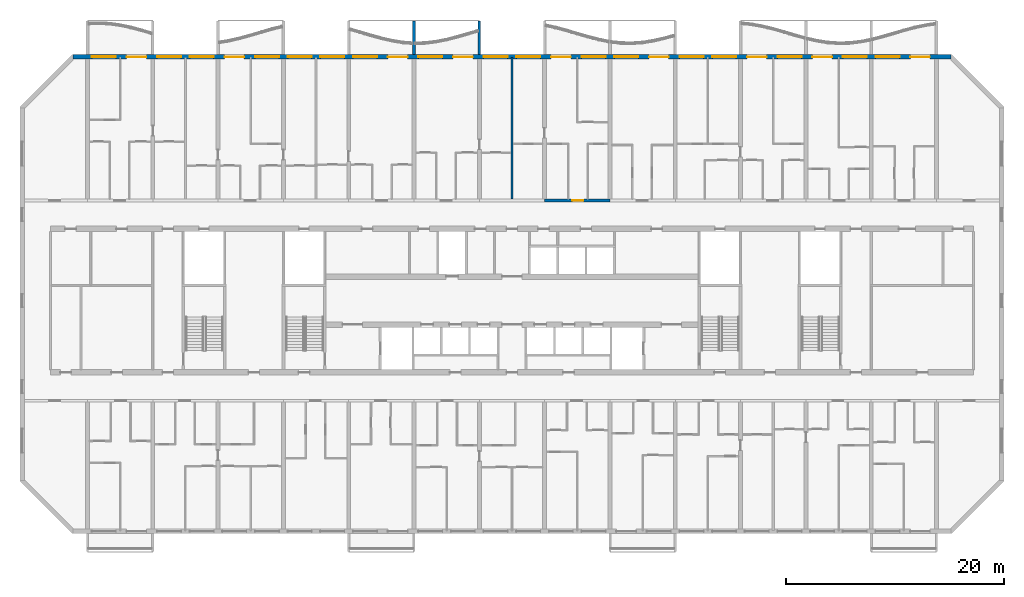
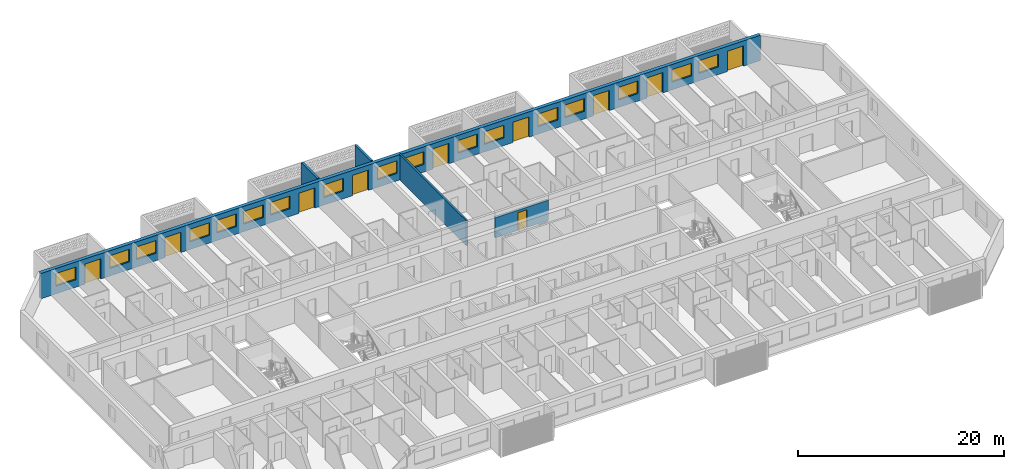
# One storey, part 11 of 24: 17 windows, 10 doors, 5 walls, 27 openings.
"""IFC4 building model written with IfcOpenShell, lengths in metres."""

from ifc_helpers import new_model, si_unit, direction, frame, frame_2d, origin, place, context, subcontext, project, spatial, polyline, rectangle, outline, extrude, source, transform, mapped, material, layer, layer_set, type_object, element, fill, save


model = new_model("IFC4")

# Units and contexts
model_context = context("Model", 3, precision=1e-05, world=origin(), true_north=direction((0.0, 1.0)))
body_context = subcontext(model_context, "Body", "Model", "MODEL_VIEW")
ifc_project = project(units=[si_unit("LENGTHUNIT", "METRE"), si_unit("AREAUNIT", "SQUARE_METRE"), si_unit("VOLUMEUNIT", "CUBIC_METRE"), si_unit("PLANEANGLEUNIT", "RADIAN"), si_unit("MASSUNIT", "GRAM", prefix="KILO")], contexts=[model_context])

# Site, building, storey
site_placement = place(None, origin())
site = spatial("IfcSite", under=ifc_project, at=site_placement, CompositionType="ELEMENT")
building_placement = place(site_placement, origin())
building = spatial("IfcBuilding", under=site, at=building_placement, Name="Poui Terraces", CompositionType="ELEMENT")
storey_placement = place(building_placement, frame((0.0, 0.0, 102.60009765625)))
storey = spatial("IfcBuildingStorey", under=building, at=storey_placement, Name="L28", CompositionType="ELEMENT", Elevation=102.60009765625)

# Wall, opening, door
ifc_material_1 = material(Name="Concrete 65 MPa", Category="concrete")
ifc_layer_1 = layer(ifc_material_1, 0.25)
ifc_layer_set_1 = layer_set([ifc_layer_1], Name="Concrete 65 MPa")
wall_type_1 = type_object("IfcWallType", Name="CORRIDOR WALL 250 65MPa", PredefinedType="SHEAR", material=ifc_layer_set_1)
wall_1_placement = place(storey_placement, frame((54.0, 30.39990234375, 0.0), z_axis=(0.0, 0.0, 1.0), x_axis=(1.0, 0.0, 0.0)))
wall_1 = element("IfcWall", 1, at=wall_1_placement, inside=storey, type_object=wall_type_1, Name="CORRIDOR WALL LINE E BAY 9", PredefinedType="SHEAR", context=body_context, shape_type="SweptSolid", body=[
    extrude(rectangle(XDim=6.0, YDim=0.25, at=frame_2d((3.0, 0.0))), origin(), (0.0, 0.0, 1.0), 2.39990234375),
])
opening_1_placement = place(wall_1_placement, frame((2.550048828125, 0.0, 0.0)))
opening_1 = element("IfcOpeningElement", 2, at=opening_1_placement, cuts=wall_1, Name="Opening FD30S", PredefinedType="OPENING", context=body_context, shape_type="SweptSolid", body=[
    extrude(rectangle(XDim=1.0, YDim=2.10009765625, at=frame_2d((0.5, 1.050048828125))), frame((0.0, 0.135009765625, 0.0), z_axis=(0.0, -1.0, 0.0), x_axis=(1.0, 0.0, 0.0)), (0.0, 0.0, 1.0), 0.27001953125),
])
ifc_material_2 = material(Name="Steel fire door", Category="steel")
door_type_1 = type_object("IfcDoorType", Name="FLAT ENTRANCE DOOR 1000 X 2100", OperationType="NOTDEFINED", PredefinedType="DOOR", material=ifc_material_2)
door_1_placement = place(opening_1_placement, origin())
door_1 = element("IfcDoor", 3, at=door_1_placement, inside=storey, type_object=door_type_1, Name="FLAT ENTRANCE DOOR 058", OperationType="SINGLE_SWING_RIGHT", OverallHeight=2.10009765625, OverallWidth=1.0, PredefinedType="DOOR", context=body_context, shape_type="SweptSolid", body=[
    extrude(rectangle(XDim=1.0, YDim=2.10009765625, at=frame_2d((0.5, 1.050048828125))), frame((0.0, 0.02490234375, 0.0), z_axis=(0.0, -1.0, 0.0), x_axis=(1.0, 0.0, 0.0)), (0.0, 0.0, 1.0), 0.050048828125),
])
fill(opening_1, door_1)

# Wall, openings, doors, windows
ifc_material_3 = material(Name="Precast concrete 40 MPa", Category="concrete")
ifc_layer_2 = layer(ifc_material_3, 0.39990234375)
ifc_layer_set_2 = layer_set([ifc_layer_2], Name="Precast concrete 40 MPa")
wall_type_2 = type_object("IfcWallType", Name="EXTERNAL WALL 400", PredefinedType="STANDARD", material=ifc_layer_set_2)
wall_2_placement = place(storey_placement, frame((91.317138671875, 43.60009765625, 0.0), z_axis=(0.0, 0.0, 1.0), x_axis=(-1.0, 0.0, 0.0)))
wall_2 = element("IfcWall", 4, at=wall_2_placement, inside=storey, type_object=wall_type_2, Name="EXTERNAL WALL N", PredefinedType="STANDARD", context=body_context, shape_type="SweptSolid", body=[
    extrude(rectangle(XDim=80.63427734375, YDim=0.39990234375, at=frame_2d((40.317138671875, 0.0))), origin(), (0.0, 0.0, 1.0), 3.0),
])
opening_2_placement = place(wall_2_placement, frame((76.71728515625, 0.0, 0.89990234375)))
opening_2 = element("IfcOpeningElement", 5, at=opening_2_placement, cuts=wall_2, Name="Opening W1", PredefinedType="OPENING", context=body_context, shape_type="SweptSolid", body=[
    extrude(rectangle(XDim=2.199951171875, YDim=1.5, at=frame_2d((1.10009765625, 0.75))), frame((0.0, 0.2099609375, 0.0), z_axis=(0.0, -1.0, 0.0), x_axis=(1.0, 0.0, 0.0)), (0.0, 0.0, 1.0), 0.419921875),
])
opening_3_placement = place(wall_2_placement, frame((73.917236328125, 0.0, 0.0)))
opening_3 = element("IfcOpeningElement", 6, at=opening_3_placement, cuts=wall_2, Name="Opening BD1", PredefinedType="OPENING", context=body_context, shape_type="SweptSolid", body=[
    extrude(rectangle(XDim=1.800048828125, YDim=2.39990234375, at=frame_2d((0.89990234375, 1.199951171875))), frame((0.0, 0.2099609375, 0.0), z_axis=(0.0, -1.0, 0.0), x_axis=(1.0, 0.0, 0.0)), (0.0, 0.0, 1.0), 0.419921875),
])
opening_4_placement = place(wall_2_placement, frame((70.71728515625, 0.0, 0.89990234375)))
opening_4 = element("IfcOpeningElement", 7, at=opening_4_placement, cuts=wall_2, Name="Opening W1", PredefinedType="OPENING", context=body_context, shape_type="SweptSolid", body=[
    extrude(rectangle(XDim=2.199951171875, YDim=1.5, at=frame_2d((1.10009765625, 0.75))), frame((0.0, 0.2099609375, 0.0), z_axis=(0.0, -1.0, 0.0), x_axis=(1.0, 0.0, 0.0)), (0.0, 0.0, 1.0), 0.419921875),
])
opening_5_placement = place(wall_2_placement, frame((67.71728515625, 0.0, 0.89990234375)))
opening_5 = element("IfcOpeningElement", 8, at=opening_5_placement, cuts=wall_2, Name="Opening W1", PredefinedType="OPENING", context=body_context, shape_type="SweptSolid", body=[
    extrude(rectangle(XDim=2.199951171875, YDim=1.5, at=frame_2d((1.10009765625, 0.75))), frame((0.0, 0.2099609375, 0.0), z_axis=(0.0, -1.0, 0.0), x_axis=(1.0, 0.0, 0.0)), (0.0, 0.0, 1.0), 0.419921875),
])
opening_6_placement = place(wall_2_placement, frame((64.917236328125, 0.0, 0.0)))
opening_6 = element("IfcOpeningElement", 9, at=opening_6_placement, cuts=wall_2, Name="Opening BD1", PredefinedType="OPENING", context=body_context, shape_type="SweptSolid", body=[
    extrude(rectangle(XDim=1.800048828125, YDim=2.39990234375, at=frame_2d((0.89990234375, 1.199951171875))), frame((0.0, 0.2099609375, 0.0), z_axis=(0.0, -1.0, 0.0), x_axis=(1.0, 0.0, 0.0)), (0.0, 0.0, 1.0), 0.419921875),
])
opening_7_placement = place(wall_2_placement, frame((61.71728515625, 0.0, 0.89990234375)))
opening_7 = element("IfcOpeningElement", 10, at=opening_7_placement, cuts=wall_2, Name="Opening W1", PredefinedType="OPENING", context=body_context, shape_type="SweptSolid", body=[
    extrude(rectangle(XDim=2.199951171875, YDim=1.5, at=frame_2d((1.10009765625, 0.75))), frame((0.0, 0.2099609375, 0.0), z_axis=(0.0, -1.0, 0.0), x_axis=(1.0, 0.0, 0.0)), (0.0, 0.0, 1.0), 0.419921875),
])
opening_8_placement = place(wall_2_placement, frame((58.71728515625, 0.0, 0.89990234375)))
opening_8 = element("IfcOpeningElement", 11, at=opening_8_placement, cuts=wall_2, Name="Opening W1", PredefinedType="OPENING", context=body_context, shape_type="SweptSolid", body=[
    extrude(rectangle(XDim=2.199951171875, YDim=1.5, at=frame_2d((1.10009765625, 0.75))), frame((0.0, 0.2099609375, 0.0), z_axis=(0.0, -1.0, 0.0), x_axis=(1.0, 0.0, 0.0)), (0.0, 0.0, 1.0), 0.419921875),
])
opening_9_placement = place(wall_2_placement, frame((55.71728515625, 0.0, 0.89990234375)))
opening_9 = element("IfcOpeningElement", 12, at=opening_9_placement, cuts=wall_2, Name="Opening W1", PredefinedType="OPENING", context=body_context, shape_type="SweptSolid", body=[
    extrude(rectangle(XDim=2.199951171875, YDim=1.5, at=frame_2d((1.10009765625, 0.75))), frame((0.0, 0.2099609375, 0.0), z_axis=(0.0, -1.0, 0.0), x_axis=(1.0, 0.0, 0.0)), (0.0, 0.0, 1.0), 0.419921875),
])
opening_10_placement = place(wall_2_placement, frame((52.71728515625, 0.0, 0.89990234375)))
opening_10 = element("IfcOpeningElement", 13, at=opening_10_placement, cuts=wall_2, Name="Opening W1", PredefinedType="OPENING", context=body_context, shape_type="SweptSolid", body=[
    extrude(rectangle(XDim=2.199951171875, YDim=1.5, at=frame_2d((1.10009765625, 0.75))), frame((0.0, 0.2099609375, 0.0), z_axis=(0.0, -1.0, 0.0), x_axis=(1.0, 0.0, 0.0)), (0.0, 0.0, 1.0), 0.419921875),
])
opening_11_placement = place(wall_2_placement, frame((49.917236328125, 0.0, 0.0)))
opening_11 = element("IfcOpeningElement", 14, at=opening_11_placement, cuts=wall_2, Name="Opening BD1", PredefinedType="OPENING", context=body_context, shape_type="SweptSolid", body=[
    extrude(rectangle(XDim=1.800048828125, YDim=2.39990234375, at=frame_2d((0.89990234375, 1.199951171875))), frame((0.0, 0.2099609375, 0.0), z_axis=(0.0, -1.0, 0.0), x_axis=(1.0, 0.0, 0.0)), (0.0, 0.0, 1.0), 0.419921875),
])
opening_12_placement = place(wall_2_placement, frame((46.71728515625, 0.0, 0.89990234375)))
opening_12 = element("IfcOpeningElement", 15, at=opening_12_placement, cuts=wall_2, Name="Opening W1", PredefinedType="OPENING", context=body_context, shape_type="SweptSolid", body=[
    extrude(rectangle(XDim=2.199951171875, YDim=1.5, at=frame_2d((1.10009765625, 0.75))), frame((0.0, 0.2099609375, 0.0), z_axis=(0.0, -1.0, 0.0), x_axis=(1.0, 0.0, 0.0)), (0.0, 0.0, 1.0), 0.419921875),
])
opening_13_placement = place(wall_2_placement, frame((43.917236328125, 0.0, 0.0)))
opening_13 = element("IfcOpeningElement", 16, at=opening_13_placement, cuts=wall_2, Name="Opening BD1", PredefinedType="OPENING", context=body_context, shape_type="SweptSolid", body=[
    extrude(rectangle(XDim=1.800048828125, YDim=2.39990234375, at=frame_2d((0.89990234375, 1.199951171875))), frame((0.0, 0.2099609375, 0.0), z_axis=(0.0, -1.0, 0.0), x_axis=(1.0, 0.0, 0.0)), (0.0, 0.0, 1.0), 0.419921875),
])
opening_14_placement = place(wall_2_placement, frame((40.71728515625, 0.0, 0.89990234375)))
opening_14 = element("IfcOpeningElement", 17, at=opening_14_placement, cuts=wall_2, Name="Opening W1", PredefinedType="OPENING", context=body_context, shape_type="SweptSolid", body=[
    extrude(rectangle(XDim=2.199951171875, YDim=1.5, at=frame_2d((1.10009765625, 0.75))), frame((0.0, 0.2099609375, 0.0), z_axis=(0.0, -1.0, 0.0), x_axis=(1.0, 0.0, 0.0)), (0.0, 0.0, 1.0), 0.419921875),
])
opening_15_placement = place(wall_2_placement, frame((37.71728515625, 0.0, 0.89990234375)))
opening_15 = element("IfcOpeningElement", 18, at=opening_15_placement, cuts=wall_2, Name="Opening W1", PredefinedType="OPENING", context=body_context, shape_type="SweptSolid", body=[
    extrude(rectangle(XDim=2.199951171875, YDim=1.5, at=frame_2d((1.10009765625, 0.75))), frame((0.0, 0.2099609375, 0.0), z_axis=(0.0, -1.0, 0.0), x_axis=(1.0, 0.0, 0.0)), (0.0, 0.0, 1.0), 0.419921875),
])
opening_16_placement = place(wall_2_placement, frame((34.917236328125, 0.0, 0.0)))
opening_16 = element("IfcOpeningElement", 19, at=opening_16_placement, cuts=wall_2, Name="Opening BD1", PredefinedType="OPENING", context=body_context, shape_type="SweptSolid", body=[
    extrude(rectangle(XDim=1.800048828125, YDim=2.39990234375, at=frame_2d((0.89990234375, 1.199951171875))), frame((0.0, 0.2099609375, 0.0), z_axis=(0.0, -1.0, 0.0), x_axis=(1.0, 0.0, 0.0)), (0.0, 0.0, 1.0), 0.419921875),
])
opening_17_placement = place(wall_2_placement, frame((31.71728515625, 0.0, 0.89990234375)))
opening_17 = element("IfcOpeningElement", 20, at=opening_17_placement, cuts=wall_2, Name="Opening W1", PredefinedType="OPENING", context=body_context, shape_type="SweptSolid", body=[
    extrude(rectangle(XDim=2.199951171875, YDim=1.5, at=frame_2d((1.10009765625, 0.75))), frame((0.0, 0.2099609375, 0.0), z_axis=(0.0, -1.0, 0.0), x_axis=(1.0, 0.0, 0.0)), (0.0, 0.0, 1.0), 0.419921875),
])
opening_18_placement = place(wall_2_placement, frame((28.71728515625, 0.0, 0.89990234375)))
opening_18 = element("IfcOpeningElement", 21, at=opening_18_placement, cuts=wall_2, Name="Opening W1", PredefinedType="OPENING", context=body_context, shape_type="SweptSolid", body=[
    extrude(rectangle(XDim=2.199951171875, YDim=1.5, at=frame_2d((1.10009765625, 0.75))), frame((0.0, 0.2099609375, 0.0), z_axis=(0.0, -1.0, 0.0), x_axis=(1.0, 0.0, 0.0)), (0.0, 0.0, 1.0), 0.419921875),
])
opening_19_placement = place(wall_2_placement, frame((25.917236328125, 0.0, 0.0)))
opening_19 = element("IfcOpeningElement", 22, at=opening_19_placement, cuts=wall_2, Name="Opening BD1", PredefinedType="OPENING", context=body_context, shape_type="SweptSolid", body=[
    extrude(rectangle(XDim=1.800048828125, YDim=2.39990234375, at=frame_2d((0.89990234375, 1.199951171875))), frame((0.0, 0.2099609375, 0.0), z_axis=(0.0, -1.0, 0.0), x_axis=(1.0, 0.0, 0.0)), (0.0, 0.0, 1.0), 0.419921875),
])
opening_20_placement = place(wall_2_placement, frame((22.71728515625, 0.0, 0.89990234375)))
opening_20 = element("IfcOpeningElement", 23, at=opening_20_placement, cuts=wall_2, Name="Opening W1", PredefinedType="OPENING", context=body_context, shape_type="SweptSolid", body=[
    extrude(rectangle(XDim=2.199951171875, YDim=1.5, at=frame_2d((1.10009765625, 0.75))), frame((0.0, 0.2099609375, 0.0), z_axis=(0.0, -1.0, 0.0), x_axis=(1.0, 0.0, 0.0)), (0.0, 0.0, 1.0), 0.419921875),
])
opening_21_placement = place(wall_2_placement, frame((19.71728515625, 0.0, 0.89990234375)))
opening_21 = element("IfcOpeningElement", 24, at=opening_21_placement, cuts=wall_2, Name="Opening W1", PredefinedType="OPENING", context=body_context, shape_type="SweptSolid", body=[
    extrude(rectangle(XDim=2.199951171875, YDim=1.5, at=frame_2d((1.10009765625, 0.75))), frame((0.0, 0.2099609375, 0.0), z_axis=(0.0, -1.0, 0.0), x_axis=(1.0, 0.0, 0.0)), (0.0, 0.0, 1.0), 0.419921875),
])
opening_22_placement = place(wall_2_placement, frame((16.917236328125, 0.0, 0.0)))
opening_22 = element("IfcOpeningElement", 25, at=opening_22_placement, cuts=wall_2, Name="Opening BD1", PredefinedType="OPENING", context=body_context, shape_type="SweptSolid", body=[
    extrude(rectangle(XDim=1.800048828125, YDim=2.39990234375, at=frame_2d((0.89990234375, 1.199951171875))), frame((0.0, 0.2099609375, 0.0), z_axis=(0.0, -1.0, 0.0), x_axis=(1.0, 0.0, 0.0)), (0.0, 0.0, 1.0), 0.419921875),
])
opening_23_placement = place(wall_2_placement, frame((13.71728515625, 0.0, 0.89990234375)))
opening_23 = element("IfcOpeningElement", 26, at=opening_23_placement, cuts=wall_2, Name="Opening W1", PredefinedType="OPENING", context=body_context, shape_type="SweptSolid", body=[
    extrude(rectangle(XDim=2.199951171875, YDim=1.5, at=frame_2d((1.10009765625, 0.75))), frame((0.0, 0.2099609375, 0.0), z_axis=(0.0, -1.0, 0.0), x_axis=(1.0, 0.0, 0.0)), (0.0, 0.0, 1.0), 0.419921875),
])
opening_24_placement = place(wall_2_placement, frame((10.917236328125, 0.0, 0.0)))
opening_24 = element("IfcOpeningElement", 27, at=opening_24_placement, cuts=wall_2, Name="Opening BD1", PredefinedType="OPENING", context=body_context, shape_type="SweptSolid", body=[
    extrude(rectangle(XDim=1.800048828125, YDim=2.39990234375, at=frame_2d((0.89990234375, 1.199951171875))), frame((0.0, 0.2099609375, 0.0), z_axis=(0.0, -1.0, 0.0), x_axis=(1.0, 0.0, 0.0)), (0.0, 0.0, 1.0), 0.419921875),
])
opening_25_placement = place(wall_2_placement, frame((7.71728515625, 0.0, 0.89990234375)))
opening_25 = element("IfcOpeningElement", 28, at=opening_25_placement, cuts=wall_2, Name="Opening W1", PredefinedType="OPENING", context=body_context, shape_type="SweptSolid", body=[
    extrude(rectangle(XDim=2.199951171875, YDim=1.5, at=frame_2d((1.10009765625, 0.75))), frame((0.0, 0.2099609375, 0.0), z_axis=(0.0, -1.0, 0.0), x_axis=(1.0, 0.0, 0.0)), (0.0, 0.0, 1.0), 0.419921875),
])
opening_26_placement = place(wall_2_placement, frame((4.71728515625, 0.0, 0.89990234375)))
opening_26 = element("IfcOpeningElement", 29, at=opening_26_placement, cuts=wall_2, Name="Opening W1", PredefinedType="OPENING", context=body_context, shape_type="SweptSolid", body=[
    extrude(rectangle(XDim=2.199951171875, YDim=1.5, at=frame_2d((1.10009765625, 0.75))), frame((0.0, 0.2099609375, 0.0), z_axis=(0.0, -1.0, 0.0), x_axis=(1.0, 0.0, 0.0)), (0.0, 0.0, 1.0), 0.419921875),
])
opening_27_placement = place(wall_2_placement, frame((1.917236328125, 0.0, 0.0)))
opening_27 = element("IfcOpeningElement", 30, at=opening_27_placement, cuts=wall_2, Name="Opening BD1", PredefinedType="OPENING", context=body_context, shape_type="SweptSolid", body=[
    extrude(rectangle(XDim=1.800048828125, YDim=2.39990234375, at=frame_2d((0.89990234375, 1.199951171875))), frame((0.0, 0.2099609375, 0.0), z_axis=(0.0, -1.0, 0.0), x_axis=(1.0, 0.0, 0.0)), (0.0, 0.0, 1.0), 0.419921875),
])
ifc_material_4 = material(Name="Clear glass in aluminium frame", Category="aluminium")
door_type_2 = type_object("IfcDoorType", Name="BALCONY DOOR 1800X2400", OperationType="DOUBLE_DOOR_SLIDING", PredefinedType="DOOR", material=ifc_material_4)
door_2_placement = place(opening_3_placement, origin())
door_2 = element("IfcDoor", 31, at=door_2_placement, inside=storey, type_object=door_type_2, Name="BD1 BALCONY DOOR", OperationType="DOUBLE_DOOR_SLIDING", OverallHeight=2.39990234375, OverallWidth=1.800048828125, PredefinedType="DOOR", context=body_context, shape_type="SweptSolid", body=[
    extrude(rectangle(XDim=1.800048828125, YDim=2.39990234375, at=frame_2d((0.89990234375, 1.199951171875))), frame((0.0, 0.02490234375, 0.0), z_axis=(0.0, -1.0, 0.0), x_axis=(1.0, 0.0, 0.0)), (0.0, 0.0, 1.0), 0.050048828125),
])
fill(opening_3, door_2)
door_3_placement = place(opening_6_placement, origin())
door_3 = element("IfcDoor", 32, at=door_3_placement, inside=storey, type_object=door_type_2, Name="BD1 BALCONY DOOR", OperationType="DOUBLE_DOOR_SLIDING", OverallHeight=2.39990234375, OverallWidth=1.800048828125, PredefinedType="DOOR", context=body_context, shape_type="SweptSolid", body=[
    extrude(rectangle(XDim=1.800048828125, YDim=2.39990234375, at=frame_2d((0.89990234375, 1.199951171875))), frame((0.0, 0.02490234375, 0.0), z_axis=(0.0, -1.0, 0.0), x_axis=(1.0, 0.0, 0.0)), (0.0, 0.0, 1.0), 0.050048828125),
])
fill(opening_6, door_3)
door_4_placement = place(opening_11_placement, origin())
door_4 = element("IfcDoor", 33, at=door_4_placement, inside=storey, type_object=door_type_2, Name="BD1 BALCONY DOOR", OperationType="DOUBLE_DOOR_SLIDING", OverallHeight=2.39990234375, OverallWidth=1.800048828125, PredefinedType="DOOR", context=body_context, shape_type="SweptSolid", body=[
    extrude(rectangle(XDim=1.800048828125, YDim=2.39990234375, at=frame_2d((0.89990234375, 1.199951171875))), frame((0.0, 0.02490234375, 0.0), z_axis=(0.0, -1.0, 0.0), x_axis=(1.0, 0.0, 0.0)), (0.0, 0.0, 1.0), 0.050048828125),
])
fill(opening_11, door_4)
door_5_placement = place(opening_13_placement, origin())
door_5 = element("IfcDoor", 34, at=door_5_placement, inside=storey, type_object=door_type_2, Name="BD1 BALCONY DOOR", OperationType="DOUBLE_DOOR_SLIDING", OverallHeight=2.39990234375, OverallWidth=1.800048828125, PredefinedType="DOOR", context=body_context, shape_type="SweptSolid", body=[
    extrude(rectangle(XDim=1.800048828125, YDim=2.39990234375, at=frame_2d((0.89990234375, 1.199951171875))), frame((0.0, 0.02490234375, 0.0), z_axis=(0.0, -1.0, 0.0), x_axis=(1.0, 0.0, 0.0)), (0.0, 0.0, 1.0), 0.050048828125),
])
fill(opening_13, door_5)
door_6_placement = place(opening_16_placement, origin())
door_6 = element("IfcDoor", 35, at=door_6_placement, inside=storey, type_object=door_type_2, Name="BD1 BALCONY DOOR", OperationType="DOUBLE_DOOR_SLIDING", OverallHeight=2.39990234375, OverallWidth=1.800048828125, PredefinedType="DOOR", context=body_context, shape_type="SweptSolid", body=[
    extrude(rectangle(XDim=1.800048828125, YDim=2.39990234375, at=frame_2d((0.89990234375, 1.199951171875))), frame((0.0, 0.02490234375, 0.0), z_axis=(0.0, -1.0, 0.0), x_axis=(1.0, 0.0, 0.0)), (0.0, 0.0, 1.0), 0.050048828125),
])
fill(opening_16, door_6)
door_7_placement = place(opening_19_placement, origin())
door_7 = element("IfcDoor", 36, at=door_7_placement, inside=storey, type_object=door_type_2, Name="BD1 BALCONY DOOR", OperationType="DOUBLE_DOOR_SLIDING", OverallHeight=2.39990234375, OverallWidth=1.800048828125, PredefinedType="DOOR", context=body_context, shape_type="SweptSolid", body=[
    extrude(rectangle(XDim=1.800048828125, YDim=2.39990234375, at=frame_2d((0.89990234375, 1.199951171875))), frame((0.0, 0.02490234375, 0.0), z_axis=(0.0, -1.0, 0.0), x_axis=(1.0, 0.0, 0.0)), (0.0, 0.0, 1.0), 0.050048828125),
])
fill(opening_19, door_7)
door_8_placement = place(opening_22_placement, origin())
door_8 = element("IfcDoor", 37, at=door_8_placement, inside=storey, type_object=door_type_2, Name="BD1 BALCONY DOOR", OperationType="DOUBLE_DOOR_SLIDING", OverallHeight=2.39990234375, OverallWidth=1.800048828125, PredefinedType="DOOR", context=body_context, shape_type="SweptSolid", body=[
    extrude(rectangle(XDim=1.800048828125, YDim=2.39990234375, at=frame_2d((0.89990234375, 1.199951171875))), frame((0.0, 0.02490234375, 0.0), z_axis=(0.0, -1.0, 0.0), x_axis=(1.0, 0.0, 0.0)), (0.0, 0.0, 1.0), 0.050048828125),
])
fill(opening_22, door_8)
door_9_placement = place(opening_24_placement, origin())
door_9 = element("IfcDoor", 38, at=door_9_placement, inside=storey, type_object=door_type_2, Name="BD1 BALCONY DOOR", OperationType="DOUBLE_DOOR_SLIDING", OverallHeight=2.39990234375, OverallWidth=1.800048828125, PredefinedType="DOOR", context=body_context, shape_type="SweptSolid", body=[
    extrude(rectangle(XDim=1.800048828125, YDim=2.39990234375, at=frame_2d((0.89990234375, 1.199951171875))), frame((0.0, 0.02490234375, 0.0), z_axis=(0.0, -1.0, 0.0), x_axis=(1.0, 0.0, 0.0)), (0.0, 0.0, 1.0), 0.050048828125),
])
fill(opening_24, door_9)
door_10_placement = place(opening_27_placement, origin())
door_10 = element("IfcDoor", 39, at=door_10_placement, inside=storey, type_object=door_type_2, Name="BD1 BALCONY DOOR", OperationType="DOUBLE_DOOR_SLIDING", OverallHeight=2.39990234375, OverallWidth=1.800048828125, PredefinedType="DOOR", context=body_context, shape_type="SweptSolid", body=[
    extrude(rectangle(XDim=1.800048828125, YDim=2.39990234375, at=frame_2d((0.89990234375, 1.199951171875))), frame((0.0, 0.02490234375, 0.0), z_axis=(0.0, -1.0, 0.0), x_axis=(1.0, 0.0, 0.0)), (0.0, 0.0, 1.0), 0.050048828125),
])
fill(opening_27, door_10)
window_type = type_object("IfcWindowType", Name="WINDOW 2200X1500", PartitioningType="DOUBLE_PANEL_HORIZONTAL", PredefinedType="WINDOW", material=ifc_material_4)
window_1_placement = place(opening_2_placement, origin())
window_1 = element("IfcWindow", 40, at=window_1_placement, inside=storey, type_object=window_type, Name="W1 WINDOW", OverallHeight=1.5, OverallWidth=2.199951171875, PartitioningType="DOUBLE_PANEL_HORIZONTAL", PredefinedType="WINDOW", context=body_context, shape_type="SweptSolid", body=[
    extrude(rectangle(XDim=2.199951171875, YDim=1.5, at=frame_2d((1.10009765625, 0.75))), frame((0.0, 0.030029296875, 0.0), z_axis=(0.0, -1.0, 0.0), x_axis=(1.0, 0.0, 0.0)), (0.0, 0.0, 1.0), 0.06005859375),
])
fill(opening_2, window_1)
window_2_placement = place(opening_4_placement, origin())
window_2 = element("IfcWindow", 41, at=window_2_placement, inside=storey, type_object=window_type, Name="W1 WINDOW", OverallHeight=1.5, OverallWidth=2.199951171875, PartitioningType="DOUBLE_PANEL_HORIZONTAL", PredefinedType="WINDOW", context=body_context, shape_type="SweptSolid", body=[
    extrude(rectangle(XDim=2.199951171875, YDim=1.5, at=frame_2d((1.10009765625, 0.75))), frame((0.0, 0.030029296875, 0.0), z_axis=(0.0, -1.0, 0.0), x_axis=(1.0, 0.0, 0.0)), (0.0, 0.0, 1.0), 0.06005859375),
])
fill(opening_4, window_2)
window_3_placement = place(opening_5_placement, origin())
window_3 = element("IfcWindow", 42, at=window_3_placement, inside=storey, type_object=window_type, Name="W1 WINDOW", OverallHeight=1.5, OverallWidth=2.199951171875, PartitioningType="DOUBLE_PANEL_HORIZONTAL", PredefinedType="WINDOW", context=body_context, shape_type="SweptSolid", body=[
    extrude(rectangle(XDim=2.199951171875, YDim=1.5, at=frame_2d((1.10009765625, 0.75))), frame((0.0, 0.030029296875, 0.0), z_axis=(0.0, -1.0, 0.0), x_axis=(1.0, 0.0, 0.0)), (0.0, 0.0, 1.0), 0.06005859375),
])
fill(opening_5, window_3)
window_4_placement = place(opening_7_placement, origin())
window_4 = element("IfcWindow", 43, at=window_4_placement, inside=storey, type_object=window_type, Name="W1 WINDOW", OverallHeight=1.5, OverallWidth=2.199951171875, PartitioningType="DOUBLE_PANEL_HORIZONTAL", PredefinedType="WINDOW", context=body_context, shape_type="SweptSolid", body=[
    extrude(rectangle(XDim=2.199951171875, YDim=1.5, at=frame_2d((1.10009765625, 0.75))), frame((0.0, 0.030029296875, 0.0), z_axis=(0.0, -1.0, 0.0), x_axis=(1.0, 0.0, 0.0)), (0.0, 0.0, 1.0), 0.06005859375),
])
fill(opening_7, window_4)
window_5_placement = place(opening_8_placement, origin())
window_5 = element("IfcWindow", 44, at=window_5_placement, inside=storey, type_object=window_type, Name="W1 WINDOW", OverallHeight=1.5, OverallWidth=2.199951171875, PartitioningType="DOUBLE_PANEL_HORIZONTAL", PredefinedType="WINDOW", context=body_context, shape_type="SweptSolid", body=[
    extrude(rectangle(XDim=2.199951171875, YDim=1.5, at=frame_2d((1.10009765625, 0.75))), frame((0.0, 0.030029296875, 0.0), z_axis=(0.0, -1.0, 0.0), x_axis=(1.0, 0.0, 0.0)), (0.0, 0.0, 1.0), 0.06005859375),
])
fill(opening_8, window_5)
window_6_placement = place(opening_9_placement, origin())
window_6 = element("IfcWindow", 45, at=window_6_placement, inside=storey, type_object=window_type, Name="W1 WINDOW", OverallHeight=1.5, OverallWidth=2.199951171875, PartitioningType="DOUBLE_PANEL_HORIZONTAL", PredefinedType="WINDOW", context=body_context, shape_type="SweptSolid", body=[
    extrude(rectangle(XDim=2.199951171875, YDim=1.5, at=frame_2d((1.10009765625, 0.75))), frame((0.0, 0.030029296875, 0.0), z_axis=(0.0, -1.0, 0.0), x_axis=(1.0, 0.0, 0.0)), (0.0, 0.0, 1.0), 0.06005859375),
])
fill(opening_9, window_6)
window_7_placement = place(opening_10_placement, origin())
window_7 = element("IfcWindow", 46, at=window_7_placement, inside=storey, type_object=window_type, Name="W1 WINDOW", OverallHeight=1.5, OverallWidth=2.199951171875, PartitioningType="DOUBLE_PANEL_HORIZONTAL", PredefinedType="WINDOW", context=body_context, shape_type="SweptSolid", body=[
    extrude(rectangle(XDim=2.199951171875, YDim=1.5, at=frame_2d((1.10009765625, 0.75))), frame((0.0, 0.030029296875, 0.0), z_axis=(0.0, -1.0, 0.0), x_axis=(1.0, 0.0, 0.0)), (0.0, 0.0, 1.0), 0.06005859375),
])
fill(opening_10, window_7)
window_8_placement = place(opening_12_placement, origin())
window_8 = element("IfcWindow", 47, at=window_8_placement, inside=storey, type_object=window_type, Name="W1 WINDOW", OverallHeight=1.5, OverallWidth=2.199951171875, PartitioningType="DOUBLE_PANEL_HORIZONTAL", PredefinedType="WINDOW", context=body_context, shape_type="SweptSolid", body=[
    extrude(rectangle(XDim=2.199951171875, YDim=1.5, at=frame_2d((1.10009765625, 0.75))), frame((0.0, 0.030029296875, 0.0), z_axis=(0.0, -1.0, 0.0), x_axis=(1.0, 0.0, 0.0)), (0.0, 0.0, 1.0), 0.06005859375),
])
fill(opening_12, window_8)
window_9_placement = place(opening_14_placement, origin())
window_9 = element("IfcWindow", 48, at=window_9_placement, inside=storey, type_object=window_type, Name="W1 WINDOW", OverallHeight=1.5, OverallWidth=2.199951171875, PartitioningType="DOUBLE_PANEL_HORIZONTAL", PredefinedType="WINDOW", context=body_context, shape_type="SweptSolid", body=[
    extrude(rectangle(XDim=2.199951171875, YDim=1.5, at=frame_2d((1.10009765625, 0.75))), frame((0.0, 0.030029296875, 0.0), z_axis=(0.0, -1.0, 0.0), x_axis=(1.0, 0.0, 0.0)), (0.0, 0.0, 1.0), 0.06005859375),
])
fill(opening_14, window_9)
window_10_placement = place(opening_15_placement, origin())
window_10 = element("IfcWindow", 49, at=window_10_placement, inside=storey, type_object=window_type, Name="W1 WINDOW", OverallHeight=1.5, OverallWidth=2.199951171875, PartitioningType="DOUBLE_PANEL_HORIZONTAL", PredefinedType="WINDOW", context=body_context, shape_type="SweptSolid", body=[
    extrude(rectangle(XDim=2.199951171875, YDim=1.5, at=frame_2d((1.10009765625, 0.75))), frame((0.0, 0.030029296875, 0.0), z_axis=(0.0, -1.0, 0.0), x_axis=(1.0, 0.0, 0.0)), (0.0, 0.0, 1.0), 0.06005859375),
])
fill(opening_15, window_10)
window_11_placement = place(opening_17_placement, origin())
window_11 = element("IfcWindow", 50, at=window_11_placement, inside=storey, type_object=window_type, Name="W1 WINDOW", OverallHeight=1.5, OverallWidth=2.199951171875, PartitioningType="DOUBLE_PANEL_HORIZONTAL", PredefinedType="WINDOW", context=body_context, shape_type="SweptSolid", body=[
    extrude(rectangle(XDim=2.199951171875, YDim=1.5, at=frame_2d((1.10009765625, 0.75))), frame((0.0, 0.030029296875, 0.0), z_axis=(0.0, -1.0, 0.0), x_axis=(1.0, 0.0, 0.0)), (0.0, 0.0, 1.0), 0.06005859375),
])
fill(opening_17, window_11)
window_12_placement = place(opening_18_placement, origin())
window_12 = element("IfcWindow", 51, at=window_12_placement, inside=storey, type_object=window_type, Name="W1 WINDOW", OverallHeight=1.5, OverallWidth=2.199951171875, PartitioningType="DOUBLE_PANEL_HORIZONTAL", PredefinedType="WINDOW", context=body_context, shape_type="SweptSolid", body=[
    extrude(rectangle(XDim=2.199951171875, YDim=1.5, at=frame_2d((1.10009765625, 0.75))), frame((0.0, 0.030029296875, 0.0), z_axis=(0.0, -1.0, 0.0), x_axis=(1.0, 0.0, 0.0)), (0.0, 0.0, 1.0), 0.06005859375),
])
fill(opening_18, window_12)
window_13_placement = place(opening_20_placement, origin())
window_13 = element("IfcWindow", 52, at=window_13_placement, inside=storey, type_object=window_type, Name="W1 WINDOW", OverallHeight=1.5, OverallWidth=2.199951171875, PartitioningType="DOUBLE_PANEL_HORIZONTAL", PredefinedType="WINDOW", context=body_context, shape_type="SweptSolid", body=[
    extrude(rectangle(XDim=2.199951171875, YDim=1.5, at=frame_2d((1.10009765625, 0.75))), frame((0.0, 0.030029296875, 0.0), z_axis=(0.0, -1.0, 0.0), x_axis=(1.0, 0.0, 0.0)), (0.0, 0.0, 1.0), 0.06005859375),
])
fill(opening_20, window_13)
window_14_placement = place(opening_21_placement, origin())
window_14 = element("IfcWindow", 53, at=window_14_placement, inside=storey, type_object=window_type, Name="W1 WINDOW", OverallHeight=1.5, OverallWidth=2.199951171875, PartitioningType="DOUBLE_PANEL_HORIZONTAL", PredefinedType="WINDOW", context=body_context, shape_type="SweptSolid", body=[
    extrude(rectangle(XDim=2.199951171875, YDim=1.5, at=frame_2d((1.10009765625, 0.75))), frame((0.0, 0.030029296875, 0.0), z_axis=(0.0, -1.0, 0.0), x_axis=(1.0, 0.0, 0.0)), (0.0, 0.0, 1.0), 0.06005859375),
])
fill(opening_21, window_14)
window_15_placement = place(opening_23_placement, origin())
window_15 = element("IfcWindow", 54, at=window_15_placement, inside=storey, type_object=window_type, Name="W1 WINDOW", OverallHeight=1.5, OverallWidth=2.199951171875, PartitioningType="DOUBLE_PANEL_HORIZONTAL", PredefinedType="WINDOW", context=body_context, shape_type="SweptSolid", body=[
    extrude(rectangle(XDim=2.199951171875, YDim=1.5, at=frame_2d((1.10009765625, 0.75))), frame((0.0, 0.030029296875, 0.0), z_axis=(0.0, -1.0, 0.0), x_axis=(1.0, 0.0, 0.0)), (0.0, 0.0, 1.0), 0.06005859375),
])
fill(opening_23, window_15)
window_16_placement = place(opening_25_placement, origin())
window_16 = element("IfcWindow", 55, at=window_16_placement, inside=storey, type_object=window_type, Name="W1 WINDOW", OverallHeight=1.5, OverallWidth=2.199951171875, PartitioningType="DOUBLE_PANEL_HORIZONTAL", PredefinedType="WINDOW", context=body_context, shape_type="SweptSolid", body=[
    extrude(rectangle(XDim=2.199951171875, YDim=1.5, at=frame_2d((1.10009765625, 0.75))), frame((0.0, 0.030029296875, 0.0), z_axis=(0.0, -1.0, 0.0), x_axis=(1.0, 0.0, 0.0)), (0.0, 0.0, 1.0), 0.06005859375),
])
fill(opening_25, window_16)
window_17_placement = place(opening_26_placement, origin())
window_17 = element("IfcWindow", 56, at=window_17_placement, inside=storey, type_object=window_type, Name="W1 WINDOW", OverallHeight=1.5, OverallWidth=2.199951171875, PartitioningType="DOUBLE_PANEL_HORIZONTAL", PredefinedType="WINDOW", context=body_context, shape_type="SweptSolid", body=[
    extrude(rectangle(XDim=2.199951171875, YDim=1.5, at=frame_2d((1.10009765625, 0.75))), frame((0.0, 0.030029296875, 0.0), z_axis=(0.0, -1.0, 0.0), x_axis=(1.0, 0.0, 0.0)), (0.0, 0.0, 1.0), 0.06005859375),
])
fill(opening_26, window_17)

# Walls
ifc_material_5 = material(Name="Fire-rated masonry wall", Category="masonry")
ifc_layer_3 = layer(ifc_material_5, 0.199951171875)
ifc_layer_set_3 = layer_set([ifc_layer_3], Name="Fire-rated masonry wall")
wall_type_3 = type_object("IfcWallType", Name="FLAT PARTY WALL 200", PredefinedType="PARTITIONING", material=ifc_layer_set_3)
wall_3_placement = place(storey_placement, frame((51.0, 30.534912109375, 0.0), z_axis=(0.0, 0.0, 1.0), x_axis=(0.0, 1.0, 0.0)))
element("IfcWall", 57, at=wall_3_placement, inside=storey, type_object=wall_type_3, Name="FLAT PARTY WALL 200", PredefinedType="PARTITIONING", context=body_context, shape_type="SweptSolid", body=[
    extrude(rectangle(XDim=13.005126953125, YDim=0.199951171875, at=frame_2d((6.50244140625, 0.0))), origin(), (0.0, 0.0, 1.0), 3.0),
])
ifc_layer_4 = layer(ifc_material_3, 0.25)
ifc_layer_set_4 = layer_set([ifc_layer_4], Name="Precast concrete 40 MPa")
wall_type_4 = type_object("IfcWallType", Name="BALCONY FIN 250", PredefinedType="STANDARD", material=ifc_layer_set_4)
shared_shape = source(origin(), body_context, "Body", "SweptSolid", [
    extrude(outline(polyline([(0.0, 0.0), (0.25, 0.0), (0.25, 3.099853515625), (0.0, 3.099853515625), (0.0, 0.0)])), origin(), (0.0, 0.0, 1.0), 3.099853515625),
])
for number, where, name in (
    (58, (41.875, 43.800048828125, 0.0), "BALCONY FIN"),
    (59, (47.875, 43.800048828125, 0.0), "BALCONY FIN"),
):
    element("IfcWall", number, at=place(storey_placement, frame(where)), inside=storey, type_object=wall_type_4, Name=name, PredefinedType="STANDARD", context=body_context, shape_type="MappedRepresentation", body=[
        mapped(shared_shape, transform((0.0, 0.0, 0.0))),
    ])

save(model, "model.ifc")
